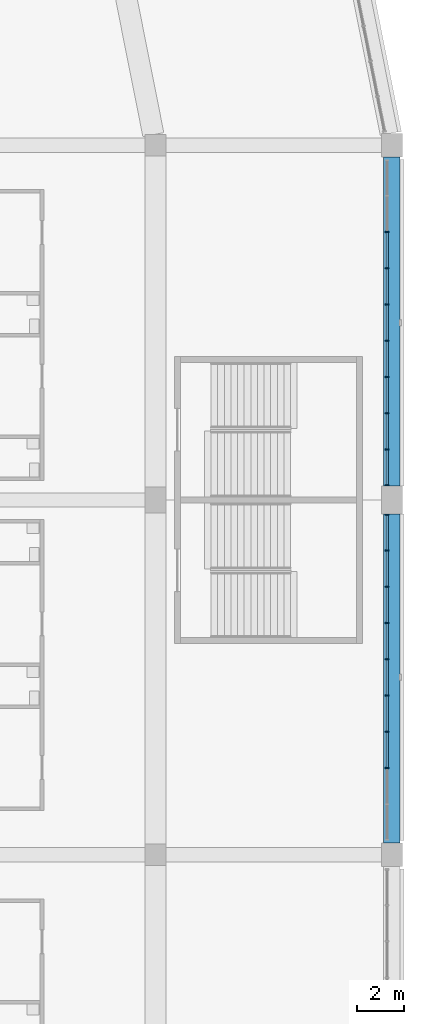
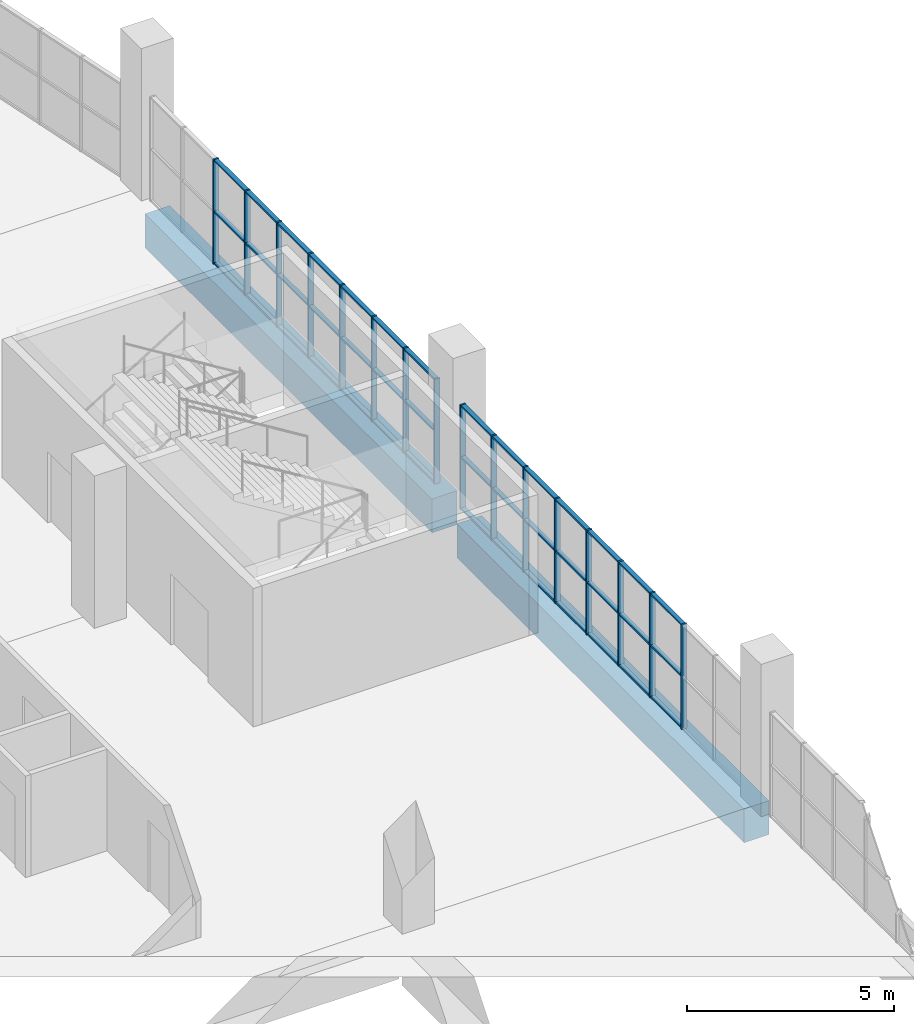
# One storey, part 48 of 199: 58 members, 2 beams, 2 elements without a shape of their own.
"""IFC4 building model written with IfcOpenShell, lengths in metres."""

from ifc_helpers import new_model, si_unit, direction, frame, origin, origin_2d, place, context, subcontext, project, spatial, rectangle, extrude, material, material_profile, profile_set, type_object, element, aggregate, save


model = new_model("IFC4")

# Units and contexts
model_context = context("Model", 3, precision=1e-05, world=origin(), true_north=direction((0.0, 1.0)))
body_context = subcontext(model_context, "Body", "Model", "MODEL_VIEW")
ifc_project = project(units=[si_unit("LENGTHUNIT", "METRE"), si_unit("AREAUNIT", "SQUARE_METRE"), si_unit("VOLUMEUNIT", "CUBIC_METRE"), si_unit("PLANEANGLEUNIT", "RADIAN"), si_unit("MASSUNIT", "GRAM", prefix="KILO")], contexts=[model_context])

# Site, building, storey
site_placement = place(None, origin())
site = spatial("IfcSite", under=ifc_project, at=site_placement, CompositionType="ELEMENT")
building_placement = place(site_placement, origin())
building = spatial("IfcBuilding", under=site, at=building_placement, Name="Ogive Plaza Stadium", CompositionType="ELEMENT")
storey_placement = place(building_placement, frame((0.0, 0.0, 9.0)))
storey = spatial("IfcBuildingStorey", under=building, at=storey_placement, Name="L02", CompositionType="ELEMENT", Elevation=9.0)

# Curtain wall, members
ifc_material_1 = material(Name="Bronze-anodised aluminium with laminated glass", Category="aluminium")
curtain_wall_type = type_object("IfcCurtainWallType", Name="Lancet curtain wall", PredefinedType="NOTDEFINED", material=ifc_material_1)
curtain_wall_1_placement = place(storey_placement, origin())
curtain_wall_1 = element("IfcCurtainWall", 1, at=curtain_wall_1_placement, inside=storey, type_object=curtain_wall_type, Name="CURTAIN WALL B01 L02", PredefinedType="NOTDEFINED")
ifc_material_2 = material(Name="Bronze-anodised aluminium", Category="aluminium")
ifc_material_profile_1 = material_profile(ifc_material_2, rectangle(XDim=0.14990234375, YDim=0.050048828125, at=origin_2d()), Name="AL 150x50")
ifc_profile_set_1 = profile_set([ifc_material_profile_1], Name="Bronze-anodised aluminium")
member_type_1 = type_object("IfcMemberType", Name="Curtain wall mullion 50x150", PredefinedType="MULLION", material=ifc_profile_set_1)
member_1_placement = place(storey_placement, frame((83.800048828125, 48.833251953125, 0.0), z_axis=(0.0, 0.0, 1.0), x_axis=(1.0, 0.0, 0.0)))
member_1 = element("IfcMember", 2, at=member_1_placement, type_object=member_type_1, Name="CW-B01-L02 mullion 3", PredefinedType="MULLION", context=body_context, shape_type="SweptSolid", body=[
    extrude(rectangle(XDim=0.14990234375, YDim=0.050048828125, at=origin_2d()), origin(), (0.0, 0.0, 1.0), 3.090087890625),
])
member_2_placement = place(storey_placement, frame((83.800048828125, 47.300048828125, 0.0), z_axis=(0.0, 0.0, 1.0), x_axis=(1.0, 0.0, 0.0)))
member_2 = element("IfcMember", 3, at=member_2_placement, type_object=member_type_1, Name="CW-B01-L02 mullion 4", PredefinedType="MULLION", context=body_context, shape_type="SweptSolid", body=[
    extrude(rectangle(XDim=0.14990234375, YDim=0.050048828125, at=origin_2d()), origin(), (0.0, 0.0, 1.0), 3.090087890625),
])
member_3_placement = place(storey_placement, frame((83.800048828125, 45.7666015625, 0.0), z_axis=(0.0, 0.0, 1.0), x_axis=(1.0, 0.0, 0.0)))
member_3 = element("IfcMember", 4, at=member_3_placement, type_object=member_type_1, Name="CW-B01-L02 mullion 5", PredefinedType="MULLION", context=body_context, shape_type="SweptSolid", body=[
    extrude(rectangle(XDim=0.14990234375, YDim=0.050048828125, at=origin_2d()), origin(), (0.0, 0.0, 1.0), 3.090087890625),
])
member_4_placement = place(storey_placement, frame((83.800048828125, 44.2333984375, 0.0), z_axis=(0.0, 0.0, 1.0), x_axis=(1.0, 0.0, 0.0)))
member_4 = element("IfcMember", 5, at=member_4_placement, type_object=member_type_1, Name="CW-B01-L02 mullion 6", PredefinedType="MULLION", context=body_context, shape_type="SweptSolid", body=[
    extrude(rectangle(XDim=0.14990234375, YDim=0.050048828125, at=origin_2d()), origin(), (0.0, 0.0, 1.0), 3.090087890625),
])
member_5_placement = place(storey_placement, frame((83.800048828125, 42.699951171875, 0.0), z_axis=(0.0, 0.0, 1.0), x_axis=(1.0, 0.0, 0.0)))
member_5 = element("IfcMember", 6, at=member_5_placement, type_object=member_type_1, Name="CW-B01-L02 mullion 7", PredefinedType="MULLION", context=body_context, shape_type="SweptSolid", body=[
    extrude(rectangle(XDim=0.14990234375, YDim=0.050048828125, at=origin_2d()), origin(), (0.0, 0.0, 1.0), 3.090087890625),
])
member_6_placement = place(storey_placement, frame((83.800048828125, 41.166748046875, 0.0), z_axis=(0.0, 0.0, 1.0), x_axis=(1.0, 0.0, 0.0)))
member_6 = element("IfcMember", 7, at=member_6_placement, type_object=member_type_1, Name="CW-B01-L02 mullion 8", PredefinedType="MULLION", context=body_context, shape_type="SweptSolid", body=[
    extrude(rectangle(XDim=0.14990234375, YDim=0.050048828125, at=origin_2d()), origin(), (0.0, 0.0, 1.0), 3.090087890625),
])
member_7_placement = place(storey_placement, frame((83.800048828125, 39.63330078125, 0.0), z_axis=(0.0, 0.0, 1.0), x_axis=(1.0, 0.0, 0.0)))
member_7 = element("IfcMember", 8, at=member_7_placement, type_object=member_type_1, Name="CW-B01-L02 mullion 9", PredefinedType="MULLION", context=body_context, shape_type="SweptSolid", body=[
    extrude(rectangle(XDim=0.14990234375, YDim=0.050048828125, at=origin_2d()), origin(), (0.0, 0.0, 1.0), 3.090087890625),
])
member_8_placement = place(storey_placement, frame((83.800048828125, 38.125, 0.0), z_axis=(0.0, 0.0, 1.0), x_axis=(1.0, 0.0, 0.0)))
member_8 = element("IfcMember", 9, at=member_8_placement, type_object=member_type_1, Name="CW-B01-L02 mullion 10", PredefinedType="MULLION", context=body_context, shape_type="SweptSolid", body=[
    extrude(rectangle(XDim=0.14990234375, YDim=0.050048828125, at=origin_2d()), origin(), (0.0, 0.0, 1.0), 3.090087890625),
])

curtain_wall_2_placement = place(storey_placement, origin())
curtain_wall_2 = element("IfcCurtainWall", 10, at=curtain_wall_2_placement, inside=storey, type_object=curtain_wall_type, Name="CURTAIN WALL B02 L02", PredefinedType="NOTDEFINED")
member_9_placement = place(storey_placement, frame((83.800048828125, 36.875, 0.0), z_axis=(0.0, 0.0, 1.0), x_axis=(1.0, 0.0, 0.0)))
member_9 = element("IfcMember", 11, at=member_9_placement, type_object=member_type_1, Name="CW-B02-L02 mullion 1", PredefinedType="MULLION", context=body_context, shape_type="SweptSolid", body=[
    extrude(rectangle(XDim=0.14990234375, YDim=0.050048828125, at=origin_2d()), origin(), (0.0, 0.0, 1.0), 3.090087890625),
])
member_10_placement = place(storey_placement, frame((83.800048828125, 35.36669921875, 0.0), z_axis=(0.0, 0.0, 1.0), x_axis=(1.0, 0.0, 0.0)))
member_10 = element("IfcMember", 12, at=member_10_placement, type_object=member_type_1, Name="CW-B02-L02 mullion 2", PredefinedType="MULLION", context=body_context, shape_type="SweptSolid", body=[
    extrude(rectangle(XDim=0.14990234375, YDim=0.050048828125, at=origin_2d()), origin(), (0.0, 0.0, 1.0), 3.090087890625),
])
member_11_placement = place(storey_placement, frame((83.800048828125, 33.833251953125, 0.0), z_axis=(0.0, 0.0, 1.0), x_axis=(1.0, 0.0, 0.0)))
member_11 = element("IfcMember", 13, at=member_11_placement, type_object=member_type_1, Name="CW-B02-L02 mullion 3", PredefinedType="MULLION", context=body_context, shape_type="SweptSolid", body=[
    extrude(rectangle(XDim=0.14990234375, YDim=0.050048828125, at=origin_2d()), origin(), (0.0, 0.0, 1.0), 3.090087890625),
])
member_12_placement = place(storey_placement, frame((83.800048828125, 32.300048828125, 0.0), z_axis=(0.0, 0.0, 1.0), x_axis=(1.0, 0.0, 0.0)))
member_12 = element("IfcMember", 14, at=member_12_placement, type_object=member_type_1, Name="CW-B02-L02 mullion 4", PredefinedType="MULLION", context=body_context, shape_type="SweptSolid", body=[
    extrude(rectangle(XDim=0.14990234375, YDim=0.050048828125, at=origin_2d()), origin(), (0.0, 0.0, 1.0), 3.090087890625),
])
member_13_placement = place(storey_placement, frame((83.800048828125, 30.7666015625, 0.0), z_axis=(0.0, 0.0, 1.0), x_axis=(1.0, 0.0, 0.0)))
member_13 = element("IfcMember", 15, at=member_13_placement, type_object=member_type_1, Name="CW-B02-L02 mullion 5", PredefinedType="MULLION", context=body_context, shape_type="SweptSolid", body=[
    extrude(rectangle(XDim=0.14990234375, YDim=0.050048828125, at=origin_2d()), origin(), (0.0, 0.0, 1.0), 3.090087890625),
])
member_14_placement = place(storey_placement, frame((83.800048828125, 29.2333984375, 0.0), z_axis=(0.0, 0.0, 1.0), x_axis=(1.0, 0.0, 0.0)))
member_14 = element("IfcMember", 16, at=member_14_placement, type_object=member_type_1, Name="CW-B02-L02 mullion 6", PredefinedType="MULLION", context=body_context, shape_type="SweptSolid", body=[
    extrude(rectangle(XDim=0.14990234375, YDim=0.050048828125, at=origin_2d()), origin(), (0.0, 0.0, 1.0), 3.090087890625),
])
member_15_placement = place(storey_placement, frame((83.800048828125, 27.699951171875, 0.0), z_axis=(0.0, 0.0, 1.0), x_axis=(1.0, 0.0, 0.0)))
member_15 = element("IfcMember", 17, at=member_15_placement, type_object=member_type_1, Name="CW-B02-L02 mullion 7", PredefinedType="MULLION", context=body_context, shape_type="SweptSolid", body=[
    extrude(rectangle(XDim=0.14990234375, YDim=0.050048828125, at=origin_2d()), origin(), (0.0, 0.0, 1.0), 3.090087890625),
])
member_16_placement = place(storey_placement, frame((83.800048828125, 26.166748046875, 0.0), z_axis=(0.0, 0.0, 1.0), x_axis=(1.0, 0.0, 0.0)))
member_16 = element("IfcMember", 18, at=member_16_placement, type_object=member_type_1, Name="CW-B02-L02 mullion 8", PredefinedType="MULLION", context=body_context, shape_type="SweptSolid", body=[
    extrude(rectangle(XDim=0.14990234375, YDim=0.050048828125, at=origin_2d()), origin(), (0.0, 0.0, 1.0), 3.090087890625),
])

# Member
ifc_material_3 = material(Name="Bronze-anodised aluminium", Category="aluminium")
ifc_material_profile_2 = material_profile(ifc_material_3, rectangle(XDim=0.1201171875, YDim=0.050048828125, at=origin_2d()), Name="AL 120x50")
ifc_profile_set_2 = profile_set([ifc_material_profile_2], Name="Bronze-anodised aluminium")
member_type_2 = type_object("IfcMemberType", Name="Curtain wall transom 50x120", PredefinedType="USERDEFINED", material=ifc_profile_set_2)
member_17_placement = place(storey_placement, frame((83.800048828125, 48.808349609375, 0.02490234375), z_axis=(0.0, -1.0, 0.0), x_axis=(1.0, 0.0, 0.0)))
member_17 = element("IfcMember", 19, at=member_17_placement, type_object=member_type_2, Name="CW-B01-L02 transom 3.1", ObjectType="TRANSOM", PredefinedType="USERDEFINED", context=body_context, shape_type="SweptSolid", body=[
    extrude(rectangle(XDim=0.1201171875, YDim=0.050048828125, at=origin_2d()), origin(), (0.0, 0.0, 1.0), 1.4833984375),
])

member_18_placement = place(storey_placement, frame((83.800048828125, 48.808349609375, 1.544921875), z_axis=(0.0, -1.0, 0.0), x_axis=(1.0, 0.0, 0.0)))
member_18 = element("IfcMember", 20, at=member_18_placement, type_object=member_type_2, Name="CW-B01-L02 transom 3.2", ObjectType="TRANSOM", PredefinedType="USERDEFINED", context=body_context, shape_type="SweptSolid", body=[
    extrude(rectangle(XDim=0.1201171875, YDim=0.050048828125, at=origin_2d()), origin(), (0.0, 0.0, 1.0), 1.4833984375),
])

member_19_placement = place(storey_placement, frame((83.800048828125, 48.808349609375, 3.06494140625), z_axis=(0.0, -1.0, 0.0), x_axis=(1.0, 0.0, 0.0)))
member_19 = element("IfcMember", 21, at=member_19_placement, type_object=member_type_2, Name="CW-B01-L02 transom 3.3", ObjectType="TRANSOM", PredefinedType="USERDEFINED", context=body_context, shape_type="SweptSolid", body=[
    extrude(rectangle(XDim=0.1201171875, YDim=0.050048828125, at=origin_2d()), origin(), (0.0, 0.0, 1.0), 1.4833984375),
])

member_20_placement = place(storey_placement, frame((83.800048828125, 47.27490234375, 0.02490234375), z_axis=(0.0, -1.0, 0.0), x_axis=(1.0, 0.0, 0.0)))
member_20 = element("IfcMember", 22, at=member_20_placement, type_object=member_type_2, Name="CW-B01-L02 transom 4.1", ObjectType="TRANSOM", PredefinedType="USERDEFINED", context=body_context, shape_type="SweptSolid", body=[
    extrude(rectangle(XDim=0.1201171875, YDim=0.050048828125, at=origin_2d()), origin(), (0.0, 0.0, 1.0), 1.483154296875),
])

member_21_placement = place(storey_placement, frame((83.800048828125, 47.27490234375, 1.544921875), z_axis=(0.0, -1.0, 0.0), x_axis=(1.0, 0.0, 0.0)))
member_21 = element("IfcMember", 23, at=member_21_placement, type_object=member_type_2, Name="CW-B01-L02 transom 4.2", ObjectType="TRANSOM", PredefinedType="USERDEFINED", context=body_context, shape_type="SweptSolid", body=[
    extrude(rectangle(XDim=0.1201171875, YDim=0.050048828125, at=origin_2d()), origin(), (0.0, 0.0, 1.0), 1.483154296875),
])

member_22_placement = place(storey_placement, frame((83.800048828125, 47.27490234375, 3.06494140625), z_axis=(0.0, -1.0, 0.0), x_axis=(1.0, 0.0, 0.0)))
member_22 = element("IfcMember", 24, at=member_22_placement, type_object=member_type_2, Name="CW-B01-L02 transom 4.3", ObjectType="TRANSOM", PredefinedType="USERDEFINED", context=body_context, shape_type="SweptSolid", body=[
    extrude(rectangle(XDim=0.1201171875, YDim=0.050048828125, at=origin_2d()), origin(), (0.0, 0.0, 1.0), 1.483154296875),
])

member_23_placement = place(storey_placement, frame((83.800048828125, 45.74169921875, 0.02490234375), z_axis=(0.0, -1.0, 0.0), x_axis=(1.0, 0.0, 0.0)))
member_23 = element("IfcMember", 25, at=member_23_placement, type_object=member_type_2, Name="CW-B01-L02 transom 5.1", ObjectType="TRANSOM", PredefinedType="USERDEFINED", context=body_context, shape_type="SweptSolid", body=[
    extrude(rectangle(XDim=0.1201171875, YDim=0.050048828125, at=origin_2d()), origin(), (0.0, 0.0, 1.0), 1.4833984375),
])

member_24_placement = place(storey_placement, frame((83.800048828125, 45.74169921875, 1.544921875), z_axis=(0.0, -1.0, 0.0), x_axis=(1.0, 0.0, 0.0)))
member_24 = element("IfcMember", 26, at=member_24_placement, type_object=member_type_2, Name="CW-B01-L02 transom 5.2", ObjectType="TRANSOM", PredefinedType="USERDEFINED", context=body_context, shape_type="SweptSolid", body=[
    extrude(rectangle(XDim=0.1201171875, YDim=0.050048828125, at=origin_2d()), origin(), (0.0, 0.0, 1.0), 1.4833984375),
])

member_25_placement = place(storey_placement, frame((83.800048828125, 45.74169921875, 3.06494140625), z_axis=(0.0, -1.0, 0.0), x_axis=(1.0, 0.0, 0.0)))
member_25 = element("IfcMember", 27, at=member_25_placement, type_object=member_type_2, Name="CW-B01-L02 transom 5.3", ObjectType="TRANSOM", PredefinedType="USERDEFINED", context=body_context, shape_type="SweptSolid", body=[
    extrude(rectangle(XDim=0.1201171875, YDim=0.050048828125, at=origin_2d()), origin(), (0.0, 0.0, 1.0), 1.4833984375),
])

member_26_placement = place(storey_placement, frame((83.800048828125, 44.208251953125, 0.02490234375), z_axis=(0.0, -1.0, 0.0), x_axis=(1.0, 0.0, 0.0)))
member_26 = element("IfcMember", 28, at=member_26_placement, type_object=member_type_2, Name="CW-B01-L02 transom 6.1", ObjectType="TRANSOM", PredefinedType="USERDEFINED", context=body_context, shape_type="SweptSolid", body=[
    extrude(rectangle(XDim=0.1201171875, YDim=0.050048828125, at=origin_2d()), origin(), (0.0, 0.0, 1.0), 1.483154296875),
])

member_27_placement = place(storey_placement, frame((83.800048828125, 44.208251953125, 1.544921875), z_axis=(0.0, -1.0, 0.0), x_axis=(1.0, 0.0, 0.0)))
member_27 = element("IfcMember", 29, at=member_27_placement, type_object=member_type_2, Name="CW-B01-L02 transom 6.2", ObjectType="TRANSOM", PredefinedType="USERDEFINED", context=body_context, shape_type="SweptSolid", body=[
    extrude(rectangle(XDim=0.1201171875, YDim=0.050048828125, at=origin_2d()), origin(), (0.0, 0.0, 1.0), 1.483154296875),
])

member_28_placement = place(storey_placement, frame((83.800048828125, 44.208251953125, 3.06494140625), z_axis=(0.0, -1.0, 0.0), x_axis=(1.0, 0.0, 0.0)))
member_28 = element("IfcMember", 30, at=member_28_placement, type_object=member_type_2, Name="CW-B01-L02 transom 6.3", ObjectType="TRANSOM", PredefinedType="USERDEFINED", context=body_context, shape_type="SweptSolid", body=[
    extrude(rectangle(XDim=0.1201171875, YDim=0.050048828125, at=origin_2d()), origin(), (0.0, 0.0, 1.0), 1.483154296875),
])

member_29_placement = place(storey_placement, frame((83.800048828125, 42.675048828125, 0.02490234375), z_axis=(0.0, -1.0, 0.0), x_axis=(1.0, 0.0, 0.0)))
member_29 = element("IfcMember", 31, at=member_29_placement, type_object=member_type_2, Name="CW-B01-L02 transom 7.1", ObjectType="TRANSOM", PredefinedType="USERDEFINED", context=body_context, shape_type="SweptSolid", body=[
    extrude(rectangle(XDim=0.1201171875, YDim=0.050048828125, at=origin_2d()), origin(), (0.0, 0.0, 1.0), 1.4833984375),
])

member_30_placement = place(storey_placement, frame((83.800048828125, 42.675048828125, 1.544921875), z_axis=(0.0, -1.0, 0.0), x_axis=(1.0, 0.0, 0.0)))
member_30 = element("IfcMember", 32, at=member_30_placement, type_object=member_type_2, Name="CW-B01-L02 transom 7.2", ObjectType="TRANSOM", PredefinedType="USERDEFINED", context=body_context, shape_type="SweptSolid", body=[
    extrude(rectangle(XDim=0.1201171875, YDim=0.050048828125, at=origin_2d()), origin(), (0.0, 0.0, 1.0), 1.4833984375),
])

member_31_placement = place(storey_placement, frame((83.800048828125, 42.675048828125, 3.06494140625), z_axis=(0.0, -1.0, 0.0), x_axis=(1.0, 0.0, 0.0)))
member_31 = element("IfcMember", 33, at=member_31_placement, type_object=member_type_2, Name="CW-B01-L02 transom 7.3", ObjectType="TRANSOM", PredefinedType="USERDEFINED", context=body_context, shape_type="SweptSolid", body=[
    extrude(rectangle(XDim=0.1201171875, YDim=0.050048828125, at=origin_2d()), origin(), (0.0, 0.0, 1.0), 1.4833984375),
])

member_32_placement = place(storey_placement, frame((83.800048828125, 41.1416015625, 0.02490234375), z_axis=(0.0, -1.0, 0.0), x_axis=(1.0, 0.0, 0.0)))
member_32 = element("IfcMember", 34, at=member_32_placement, type_object=member_type_2, Name="CW-B01-L02 transom 8.1", ObjectType="TRANSOM", PredefinedType="USERDEFINED", context=body_context, shape_type="SweptSolid", body=[
    extrude(rectangle(XDim=0.1201171875, YDim=0.050048828125, at=origin_2d()), origin(), (0.0, 0.0, 1.0), 1.483154296875),
])

member_33_placement = place(storey_placement, frame((83.800048828125, 41.1416015625, 1.544921875), z_axis=(0.0, -1.0, 0.0), x_axis=(1.0, 0.0, 0.0)))
member_33 = element("IfcMember", 35, at=member_33_placement, type_object=member_type_2, Name="CW-B01-L02 transom 8.2", ObjectType="TRANSOM", PredefinedType="USERDEFINED", context=body_context, shape_type="SweptSolid", body=[
    extrude(rectangle(XDim=0.1201171875, YDim=0.050048828125, at=origin_2d()), origin(), (0.0, 0.0, 1.0), 1.483154296875),
])

member_34_placement = place(storey_placement, frame((83.800048828125, 41.1416015625, 3.06494140625), z_axis=(0.0, -1.0, 0.0), x_axis=(1.0, 0.0, 0.0)))
member_34 = element("IfcMember", 36, at=member_34_placement, type_object=member_type_2, Name="CW-B01-L02 transom 8.3", ObjectType="TRANSOM", PredefinedType="USERDEFINED", context=body_context, shape_type="SweptSolid", body=[
    extrude(rectangle(XDim=0.1201171875, YDim=0.050048828125, at=origin_2d()), origin(), (0.0, 0.0, 1.0), 1.483154296875),
])

member_35_placement = place(storey_placement, frame((83.800048828125, 39.6083984375, 0.02490234375), z_axis=(0.0, -1.0, 0.0), x_axis=(1.0, 0.0, 0.0)))
member_35 = element("IfcMember", 37, at=member_35_placement, type_object=member_type_2, Name="CW-B01-L02 transom 9.1", ObjectType="TRANSOM", PredefinedType="USERDEFINED", context=body_context, shape_type="SweptSolid", body=[
    extrude(rectangle(XDim=0.1201171875, YDim=0.050048828125, at=origin_2d()), origin(), (0.0, 0.0, 1.0), 1.45849609375),
])

member_36_placement = place(storey_placement, frame((83.800048828125, 39.6083984375, 1.544921875), z_axis=(0.0, -1.0, 0.0), x_axis=(1.0, 0.0, 0.0)))
member_36 = element("IfcMember", 38, at=member_36_placement, type_object=member_type_2, Name="CW-B01-L02 transom 9.2", ObjectType="TRANSOM", PredefinedType="USERDEFINED", context=body_context, shape_type="SweptSolid", body=[
    extrude(rectangle(XDim=0.1201171875, YDim=0.050048828125, at=origin_2d()), origin(), (0.0, 0.0, 1.0), 1.45849609375),
])

member_37_placement = place(storey_placement, frame((83.800048828125, 39.6083984375, 3.06494140625), z_axis=(0.0, -1.0, 0.0), x_axis=(1.0, 0.0, 0.0)))
member_37 = element("IfcMember", 39, at=member_37_placement, type_object=member_type_2, Name="CW-B01-L02 transom 9.3", ObjectType="TRANSOM", PredefinedType="USERDEFINED", context=body_context, shape_type="SweptSolid", body=[
    extrude(rectangle(XDim=0.1201171875, YDim=0.050048828125, at=origin_2d()), origin(), (0.0, 0.0, 1.0), 1.45849609375),
])

aggregate(curtain_wall_1, [member_1, member_2, member_3, member_4, member_5, member_6, member_7, member_8, member_17, member_18, member_19, member_20, member_21, member_22, member_23, member_24, member_25, member_26, member_27, member_28, member_29, member_30, member_31, member_32, member_33, member_34, member_35, member_36, member_37])

member_38_placement = place(storey_placement, frame((83.800048828125, 36.85009765625, 0.02490234375), z_axis=(0.0, -1.0, 0.0), x_axis=(1.0, 0.0, 0.0)))
member_38 = element("IfcMember", 40, at=member_38_placement, type_object=member_type_2, Name="CW-B02-L02 transom 1.1", ObjectType="TRANSOM", PredefinedType="USERDEFINED", context=body_context, shape_type="SweptSolid", body=[
    extrude(rectangle(XDim=0.1201171875, YDim=0.050048828125, at=origin_2d()), origin(), (0.0, 0.0, 1.0), 1.45849609375),
])

member_39_placement = place(storey_placement, frame((83.800048828125, 36.85009765625, 1.544921875), z_axis=(0.0, -1.0, 0.0), x_axis=(1.0, 0.0, 0.0)))
member_39 = element("IfcMember", 41, at=member_39_placement, type_object=member_type_2, Name="CW-B02-L02 transom 1.2", ObjectType="TRANSOM", PredefinedType="USERDEFINED", context=body_context, shape_type="SweptSolid", body=[
    extrude(rectangle(XDim=0.1201171875, YDim=0.050048828125, at=origin_2d()), origin(), (0.0, 0.0, 1.0), 1.45849609375),
])

member_40_placement = place(storey_placement, frame((83.800048828125, 36.85009765625, 3.06494140625), z_axis=(0.0, -1.0, 0.0), x_axis=(1.0, 0.0, 0.0)))
member_40 = element("IfcMember", 42, at=member_40_placement, type_object=member_type_2, Name="CW-B02-L02 transom 1.3", ObjectType="TRANSOM", PredefinedType="USERDEFINED", context=body_context, shape_type="SweptSolid", body=[
    extrude(rectangle(XDim=0.1201171875, YDim=0.050048828125, at=origin_2d()), origin(), (0.0, 0.0, 1.0), 1.45849609375),
])

member_41_placement = place(storey_placement, frame((83.800048828125, 35.341552734375, 0.02490234375), z_axis=(0.0, -1.0, 0.0), x_axis=(1.0, 0.0, 0.0)))
member_41 = element("IfcMember", 43, at=member_41_placement, type_object=member_type_2, Name="CW-B02-L02 transom 2.1", ObjectType="TRANSOM", PredefinedType="USERDEFINED", context=body_context, shape_type="SweptSolid", body=[
    extrude(rectangle(XDim=0.1201171875, YDim=0.050048828125, at=origin_2d()), origin(), (0.0, 0.0, 1.0), 1.483154296875),
])

member_42_placement = place(storey_placement, frame((83.800048828125, 35.341552734375, 1.544921875), z_axis=(0.0, -1.0, 0.0), x_axis=(1.0, 0.0, 0.0)))
member_42 = element("IfcMember", 44, at=member_42_placement, type_object=member_type_2, Name="CW-B02-L02 transom 2.2", ObjectType="TRANSOM", PredefinedType="USERDEFINED", context=body_context, shape_type="SweptSolid", body=[
    extrude(rectangle(XDim=0.1201171875, YDim=0.050048828125, at=origin_2d()), origin(), (0.0, 0.0, 1.0), 1.483154296875),
])

member_43_placement = place(storey_placement, frame((83.800048828125, 35.341552734375, 3.06494140625), z_axis=(0.0, -1.0, 0.0), x_axis=(1.0, 0.0, 0.0)))
member_43 = element("IfcMember", 45, at=member_43_placement, type_object=member_type_2, Name="CW-B02-L02 transom 2.3", ObjectType="TRANSOM", PredefinedType="USERDEFINED", context=body_context, shape_type="SweptSolid", body=[
    extrude(rectangle(XDim=0.1201171875, YDim=0.050048828125, at=origin_2d()), origin(), (0.0, 0.0, 1.0), 1.483154296875),
])

member_44_placement = place(storey_placement, frame((83.800048828125, 33.808349609375, 0.02490234375), z_axis=(0.0, -1.0, 0.0), x_axis=(1.0, 0.0, 0.0)))
member_44 = element("IfcMember", 46, at=member_44_placement, type_object=member_type_2, Name="CW-B02-L02 transom 3.1", ObjectType="TRANSOM", PredefinedType="USERDEFINED", context=body_context, shape_type="SweptSolid", body=[
    extrude(rectangle(XDim=0.1201171875, YDim=0.050048828125, at=origin_2d()), origin(), (0.0, 0.0, 1.0), 1.4833984375),
])

member_45_placement = place(storey_placement, frame((83.800048828125, 33.808349609375, 1.544921875), z_axis=(0.0, -1.0, 0.0), x_axis=(1.0, 0.0, 0.0)))
member_45 = element("IfcMember", 47, at=member_45_placement, type_object=member_type_2, Name="CW-B02-L02 transom 3.2", ObjectType="TRANSOM", PredefinedType="USERDEFINED", context=body_context, shape_type="SweptSolid", body=[
    extrude(rectangle(XDim=0.1201171875, YDim=0.050048828125, at=origin_2d()), origin(), (0.0, 0.0, 1.0), 1.4833984375),
])

member_46_placement = place(storey_placement, frame((83.800048828125, 33.808349609375, 3.06494140625), z_axis=(0.0, -1.0, 0.0), x_axis=(1.0, 0.0, 0.0)))
member_46 = element("IfcMember", 48, at=member_46_placement, type_object=member_type_2, Name="CW-B02-L02 transom 3.3", ObjectType="TRANSOM", PredefinedType="USERDEFINED", context=body_context, shape_type="SweptSolid", body=[
    extrude(rectangle(XDim=0.1201171875, YDim=0.050048828125, at=origin_2d()), origin(), (0.0, 0.0, 1.0), 1.4833984375),
])

member_47_placement = place(storey_placement, frame((83.800048828125, 32.27490234375, 0.02490234375), z_axis=(0.0, -1.0, 0.0), x_axis=(1.0, 0.0, 0.0)))
member_47 = element("IfcMember", 49, at=member_47_placement, type_object=member_type_2, Name="CW-B02-L02 transom 4.1", ObjectType="TRANSOM", PredefinedType="USERDEFINED", context=body_context, shape_type="SweptSolid", body=[
    extrude(rectangle(XDim=0.1201171875, YDim=0.050048828125, at=origin_2d()), origin(), (0.0, 0.0, 1.0), 1.483154296875),
])

member_48_placement = place(storey_placement, frame((83.800048828125, 32.27490234375, 1.544921875), z_axis=(0.0, -1.0, 0.0), x_axis=(1.0, 0.0, 0.0)))
member_48 = element("IfcMember", 50, at=member_48_placement, type_object=member_type_2, Name="CW-B02-L02 transom 4.2", ObjectType="TRANSOM", PredefinedType="USERDEFINED", context=body_context, shape_type="SweptSolid", body=[
    extrude(rectangle(XDim=0.1201171875, YDim=0.050048828125, at=origin_2d()), origin(), (0.0, 0.0, 1.0), 1.483154296875),
])

member_49_placement = place(storey_placement, frame((83.800048828125, 32.27490234375, 3.06494140625), z_axis=(0.0, -1.0, 0.0), x_axis=(1.0, 0.0, 0.0)))
member_49 = element("IfcMember", 51, at=member_49_placement, type_object=member_type_2, Name="CW-B02-L02 transom 4.3", ObjectType="TRANSOM", PredefinedType="USERDEFINED", context=body_context, shape_type="SweptSolid", body=[
    extrude(rectangle(XDim=0.1201171875, YDim=0.050048828125, at=origin_2d()), origin(), (0.0, 0.0, 1.0), 1.483154296875),
])

member_50_placement = place(storey_placement, frame((83.800048828125, 30.74169921875, 0.02490234375), z_axis=(0.0, -1.0, 0.0), x_axis=(1.0, 0.0, 0.0)))
member_50 = element("IfcMember", 52, at=member_50_placement, type_object=member_type_2, Name="CW-B02-L02 transom 5.1", ObjectType="TRANSOM", PredefinedType="USERDEFINED", context=body_context, shape_type="SweptSolid", body=[
    extrude(rectangle(XDim=0.1201171875, YDim=0.050048828125, at=origin_2d()), origin(), (0.0, 0.0, 1.0), 1.4833984375),
])

member_51_placement = place(storey_placement, frame((83.800048828125, 30.74169921875, 1.544921875), z_axis=(0.0, -1.0, 0.0), x_axis=(1.0, 0.0, 0.0)))
member_51 = element("IfcMember", 53, at=member_51_placement, type_object=member_type_2, Name="CW-B02-L02 transom 5.2", ObjectType="TRANSOM", PredefinedType="USERDEFINED", context=body_context, shape_type="SweptSolid", body=[
    extrude(rectangle(XDim=0.1201171875, YDim=0.050048828125, at=origin_2d()), origin(), (0.0, 0.0, 1.0), 1.4833984375),
])

member_52_placement = place(storey_placement, frame((83.800048828125, 30.74169921875, 3.06494140625), z_axis=(0.0, -1.0, 0.0), x_axis=(1.0, 0.0, 0.0)))
member_52 = element("IfcMember", 54, at=member_52_placement, type_object=member_type_2, Name="CW-B02-L02 transom 5.3", ObjectType="TRANSOM", PredefinedType="USERDEFINED", context=body_context, shape_type="SweptSolid", body=[
    extrude(rectangle(XDim=0.1201171875, YDim=0.050048828125, at=origin_2d()), origin(), (0.0, 0.0, 1.0), 1.4833984375),
])

member_53_placement = place(storey_placement, frame((83.800048828125, 29.208251953125, 0.02490234375), z_axis=(0.0, -1.0, 0.0), x_axis=(1.0, 0.0, 0.0)))
member_53 = element("IfcMember", 55, at=member_53_placement, type_object=member_type_2, Name="CW-B02-L02 transom 6.1", ObjectType="TRANSOM", PredefinedType="USERDEFINED", context=body_context, shape_type="SweptSolid", body=[
    extrude(rectangle(XDim=0.1201171875, YDim=0.050048828125, at=origin_2d()), origin(), (0.0, 0.0, 1.0), 1.483154296875),
])

member_54_placement = place(storey_placement, frame((83.800048828125, 29.208251953125, 1.544921875), z_axis=(0.0, -1.0, 0.0), x_axis=(1.0, 0.0, 0.0)))
member_54 = element("IfcMember", 56, at=member_54_placement, type_object=member_type_2, Name="CW-B02-L02 transom 6.2", ObjectType="TRANSOM", PredefinedType="USERDEFINED", context=body_context, shape_type="SweptSolid", body=[
    extrude(rectangle(XDim=0.1201171875, YDim=0.050048828125, at=origin_2d()), origin(), (0.0, 0.0, 1.0), 1.483154296875),
])

member_55_placement = place(storey_placement, frame((83.800048828125, 29.208251953125, 3.06494140625), z_axis=(0.0, -1.0, 0.0), x_axis=(1.0, 0.0, 0.0)))
member_55 = element("IfcMember", 57, at=member_55_placement, type_object=member_type_2, Name="CW-B02-L02 transom 6.3", ObjectType="TRANSOM", PredefinedType="USERDEFINED", context=body_context, shape_type="SweptSolid", body=[
    extrude(rectangle(XDim=0.1201171875, YDim=0.050048828125, at=origin_2d()), origin(), (0.0, 0.0, 1.0), 1.483154296875),
])

member_56_placement = place(storey_placement, frame((83.800048828125, 27.675048828125, 0.02490234375), z_axis=(0.0, -1.0, 0.0), x_axis=(1.0, 0.0, 0.0)))
member_56 = element("IfcMember", 58, at=member_56_placement, type_object=member_type_2, Name="CW-B02-L02 transom 7.1", ObjectType="TRANSOM", PredefinedType="USERDEFINED", context=body_context, shape_type="SweptSolid", body=[
    extrude(rectangle(XDim=0.1201171875, YDim=0.050048828125, at=origin_2d()), origin(), (0.0, 0.0, 1.0), 1.4833984375),
])

member_57_placement = place(storey_placement, frame((83.800048828125, 27.675048828125, 1.544921875), z_axis=(0.0, -1.0, 0.0), x_axis=(1.0, 0.0, 0.0)))
member_57 = element("IfcMember", 59, at=member_57_placement, type_object=member_type_2, Name="CW-B02-L02 transom 7.2", ObjectType="TRANSOM", PredefinedType="USERDEFINED", context=body_context, shape_type="SweptSolid", body=[
    extrude(rectangle(XDim=0.1201171875, YDim=0.050048828125, at=origin_2d()), origin(), (0.0, 0.0, 1.0), 1.4833984375),
])

member_58_placement = place(storey_placement, frame((83.800048828125, 27.675048828125, 3.06494140625), z_axis=(0.0, -1.0, 0.0), x_axis=(1.0, 0.0, 0.0)))
member_58 = element("IfcMember", 60, at=member_58_placement, type_object=member_type_2, Name="CW-B02-L02 transom 7.3", ObjectType="TRANSOM", PredefinedType="USERDEFINED", context=body_context, shape_type="SweptSolid", body=[
    extrude(rectangle(XDim=0.1201171875, YDim=0.050048828125, at=origin_2d()), origin(), (0.0, 0.0, 1.0), 1.4833984375),
])

aggregate(curtain_wall_2, [member_9, member_10, member_11, member_12, member_13, member_14, member_15, member_16, member_38, member_39, member_40, member_41, member_42, member_43, member_44, member_45, member_46, member_47, member_48, member_49, member_50, member_51, member_52, member_53, member_54, member_55, member_56, member_57, member_58])

# Beams
ifc_material_4 = material(Name="Concrete C40/50", Category="concrete")
ifc_material_profile_3 = material_profile(ifc_material_4, rectangle(XDim=0.699951171875, YDim=1.0, at=origin_2d()), Name="RC 700x1000")
ifc_profile_set_3 = profile_set([ifc_material_profile_3], Name="Concrete C40/50")
beam_type = type_object("IfcBeamType", Name="RC spandrel beam 700x1000", PredefinedType="SPANDREL", material=ifc_profile_set_3)
for number, where, z_axis, x_axis, name in (
    (61, (84.0, 52.0, -0.909912109375), (0.0, -1.0, 0.0), (1.0, 0.0, 0.0), "Ring beam F5 L02 B01"),
    (62, (84.0, 36.89990234375, -0.909912109375), (0.0, -1.0, 0.0), (1.0, 0.0, 0.0), "Ring beam F5 L02 B02"),
):
    element("IfcBeam", number, at=place(storey_placement, frame(where, z_axis=z_axis, x_axis=x_axis)), inside=storey, type_object=beam_type, Name=name, PredefinedType="SPANDREL", context=body_context, shape_type="SweptSolid", body=[
        extrude(rectangle(XDim=0.699951171875, YDim=1.0, at=origin_2d()), origin(), (0.0, 0.0, 1.0), 13.89990234375),
    ])

save(model, "model.ifc")
